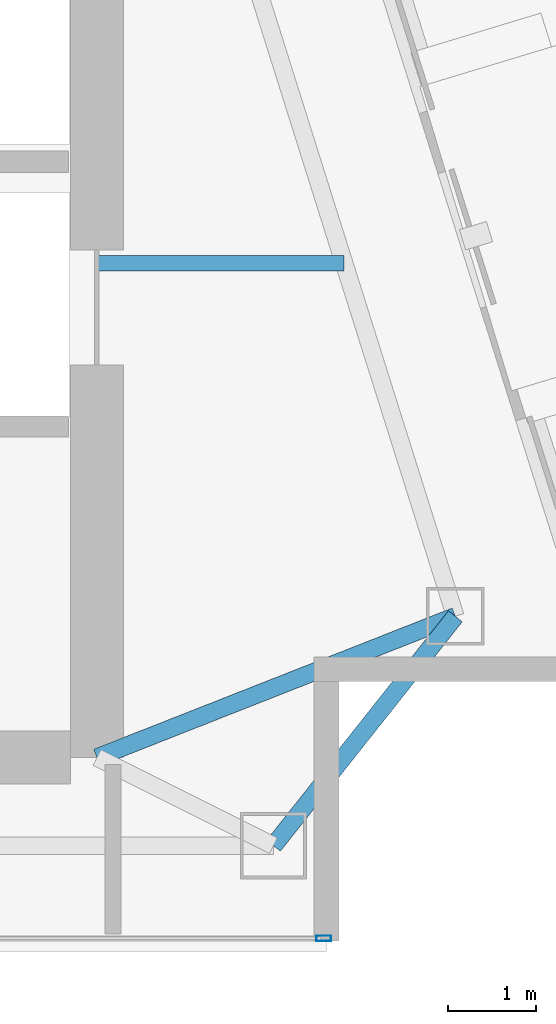
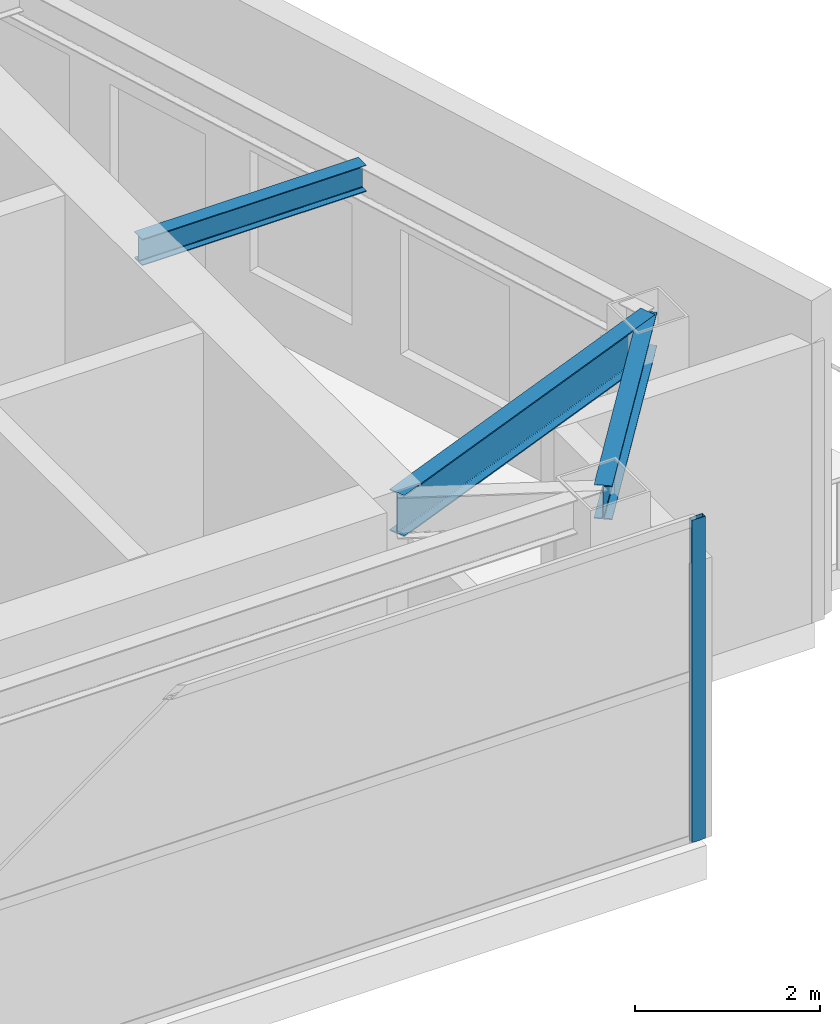
# One storey, part 12 of 25: 3 beams, 1 member, 1 element without a shape of its own.
"""IFC4 building model written with IfcOpenShell, lengths in metres."""

from ifc_helpers import new_model, si_unit, direction, frame, origin, origin_2d, place, context, subcontext, project, spatial, hollow_rectangle, i_section, extrude, material, layer, layer_set, material_profile, profile_set, type_object, element, aggregate, save


model = new_model("IFC4")

# Units and contexts
model_context = context("Model", 3, precision=1e-05, world=origin(), true_north=direction((0.0, 1.0)))
body_context = subcontext(model_context, "Body", "Model", "MODEL_VIEW")
ifc_project = project(units=[si_unit("LENGTHUNIT", "METRE"), si_unit("AREAUNIT", "SQUARE_METRE"), si_unit("VOLUMEUNIT", "CUBIC_METRE"), si_unit("PLANEANGLEUNIT", "RADIAN"), si_unit("MASSUNIT", "GRAM", prefix="KILO")], contexts=[model_context])

# Site, building, storey
site_placement = place(None, origin())
site = spatial("IfcSite", under=ifc_project, at=site_placement, CompositionType="ELEMENT")
building_placement = place(site_placement, origin())
building = spatial("IfcBuilding", under=site, at=building_placement, Name="Calvorn Quay Hotel", CompositionType="ELEMENT")
storey_placement = place(building_placement, frame((0.0, 0.0, 307.0)))
storey = spatial("IfcBuildingStorey", under=building, at=storey_placement, Name="L76", CompositionType="ELEMENT", Elevation=307.0)

# Beams
ifc_material_1 = material(Name="Steel Q355B", Category="steel")
ifc_material_profile_1 = material_profile(ifc_material_1, i_section(OverallWidth=0.199951171875, OverallDepth=0.550048828125, WebThickness=0.010009765625, FlangeThickness=0.01611328125, FilletRadius=0.01806640625, at=origin_2d()), Name="HN550x200x10x16")
ifc_profile_set_1 = profile_set([ifc_material_profile_1], Name="Steel Q355B")
beam_type_1 = type_object("IfcBeamType", Name="BM-GIRD-UPP", PredefinedType="BEAM", material=ifc_profile_set_1)
beam_1_placement = place(storey_placement, frame((32.39990234375, 4.60009765625, 3.965087890625), z_axis=(0.930404346668, 0.36653478921, 0.0), x_axis=(-0.36653478921, 0.930404346668, 0.0)))
element("IfcBeam", 1, at=beam_1_placement, inside=storey, type_object=beam_type_1, Name="Beam BG-L76-E1", PredefinedType="BEAM", context=body_context, shape_type="SweptSolid", body=[
    extrude(i_section(OverallWidth=0.199951171875, OverallDepth=0.550048828125, WebThickness=0.010009765625, FlangeThickness=0.01611328125, FilletRadius=0.01806640625, at=origin_2d()), origin(), (0.0, 0.0, 1.0), 4.36474609375),
])
ifc_material_2 = material(Name="Steel Q355B", Category="steel")
ifc_material_profile_2 = material_profile(ifc_material_2, i_section(OverallWidth=0.175048828125, OverallDepth=0.35009765625, WebThickness=0.007080078125, FlangeThickness=0.010986328125, FilletRadius=0.013916015625, at=origin_2d()), Name="HN350x175x7x11")
ifc_profile_set_2 = profile_set([ifc_material_profile_2], Name="Steel Q355B")
beam_type_2 = type_object("IfcBeamType", Name="BM-JOIST-SEC", PredefinedType="JOIST", material=ifc_profile_set_2)
beam_2_placement = place(storey_placement, frame((32.39990234375, 10.199951171875, 4.06494140625), z_axis=(1.0, 0.0, 0.0), x_axis=(0.0, 1.0, 0.0)))
element("IfcBeam", 2, at=beam_2_placement, inside=storey, type_object=beam_type_2, Name="Beam BJ-L76-E1", PredefinedType="JOIST", context=body_context, shape_type="SweptSolid", body=[
    extrude(i_section(OverallWidth=0.175048828125, OverallDepth=0.35009765625, WebThickness=0.007080078125, FlangeThickness=0.010986328125, FilletRadius=0.013916015625, at=origin_2d()), origin(), (0.0, 0.0, 1.0), 2.801025390625),
])
ifc_material_3 = material(Name="Steel Q355B", Category="steel")
ifc_material_profile_3 = material_profile(ifc_material_3, i_section(OverallWidth=0.199951171875, OverallDepth=0.449951171875, WebThickness=0.009033203125, FlangeThickness=0.013916015625, FilletRadius=0.01611328125, at=origin_2d()), Name="HN450x200x9x14")
ifc_profile_set_3 = profile_set([ifc_material_profile_3], Name="Steel Q355B")
beam_type_3 = type_object("IfcBeamType", Name="BM-SPANDREL-Z3", PredefinedType="SPANDREL", material=ifc_profile_set_3)
beam_3_placement = place(storey_placement, frame((34.39990234375, 3.60009765625, 4.014892578125), z_axis=(0.621224908236, 0.78363232028, 0.0), x_axis=(-0.78363232028, 0.621224908236, 0.0)))
element("IfcBeam", 3, at=beam_3_placement, inside=storey, type_object=beam_type_3, Name="Beam BSP-L76-S4", PredefinedType="SPANDREL", context=body_context, shape_type="SweptSolid", body=[
    extrude(i_section(OverallWidth=0.199951171875, OverallDepth=0.449951171875, WebThickness=0.009033203125, FlangeThickness=0.013916015625, FilletRadius=0.01611328125, at=origin_2d()), origin(), (0.0, 0.0, 1.0), 3.317626953125),
])

# Curtain wall, member
ifc_material_4 = material(Name="Champagne Bronze Anodised Aluminium and Low-E Glass", Category="aluminium")
ifc_layer = layer(ifc_material_4, 0.219970703125)
ifc_layer_set = layer_set([ifc_layer], Name="CW-SYS-Z4")
curtain_wall_type = type_object("IfcCurtainWallType", Name="CW-SYS-Z4", PredefinedType="NOTDEFINED", material=ifc_layer_set)
curtain_wall_placement = place(storey_placement, origin())
curtain_wall = element("IfcCurtainWall", 4, at=curtain_wall_placement, inside=storey, type_object=curtain_wall_type, Name="Tower South Waterfront Curtain Wall (L76)", PredefinedType="NOTDEFINED")
ifc_material_5 = material(Name="Champagne Bronze Anodised Aluminium 6063-T6", Category="aluminium")
ifc_material_profile_4 = material_profile(ifc_material_5, hollow_rectangle(XDim=0.06494140625, YDim=0.169921875, WallThickness=0.00341796875, at=origin_2d()), Name="ALU-M170x65x3.5")
ifc_profile_set_4 = profile_set([ifc_material_profile_4], Name="Champagne Bronze Anodised Aluminium 6063-T6")
member_type = type_object("IfcMemberType", Name="CW-SYS-Z4-MUL", PredefinedType="MULLION", material=ifc_profile_set_4)
member_placement = place(storey_placement, frame((34.969970703125, 2.550048828125, 0.0), z_axis=(0.0, 0.0, 1.0), x_axis=(0.0, 1.0, 0.0)))
member = element("IfcMember", 5, at=member_placement, type_object=member_type, Name="CW-L76-S mullion 4", PredefinedType="MULLION", context=body_context, shape_type="SweptSolid", body=[
    extrude(hollow_rectangle(XDim=0.06494140625, YDim=0.169921875, WallThickness=0.00341796875, at=origin_2d()), origin(), (0.0, 0.0, 1.0), 4.260009765625),
])
aggregate(curtain_wall, [member])

save(model, "model.ifc")
